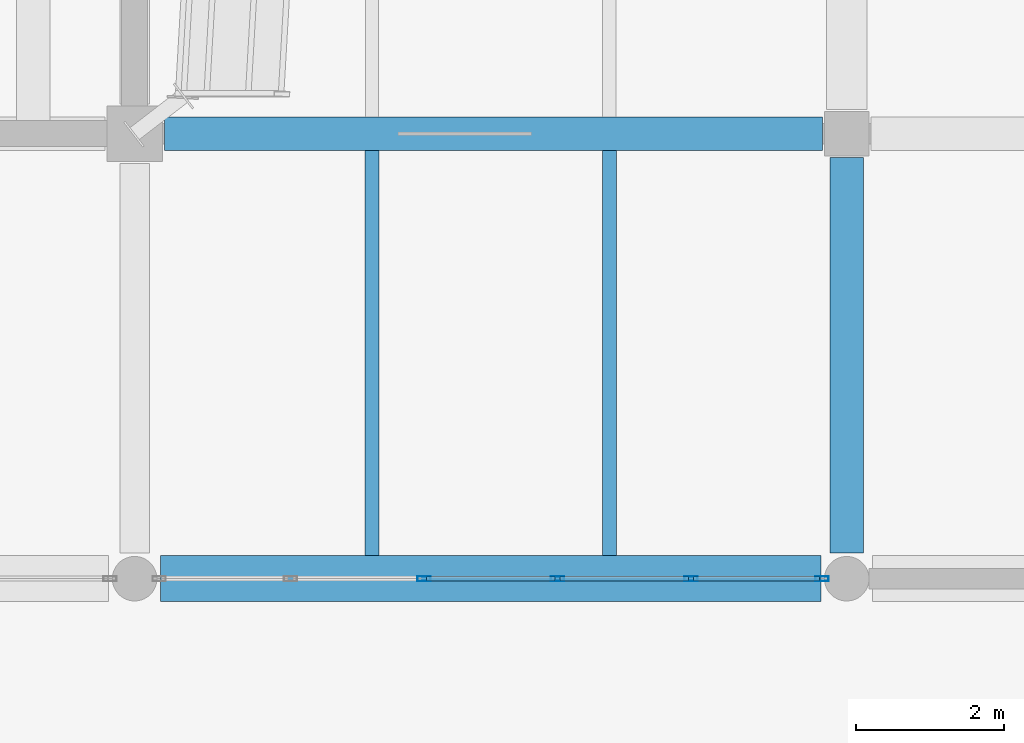
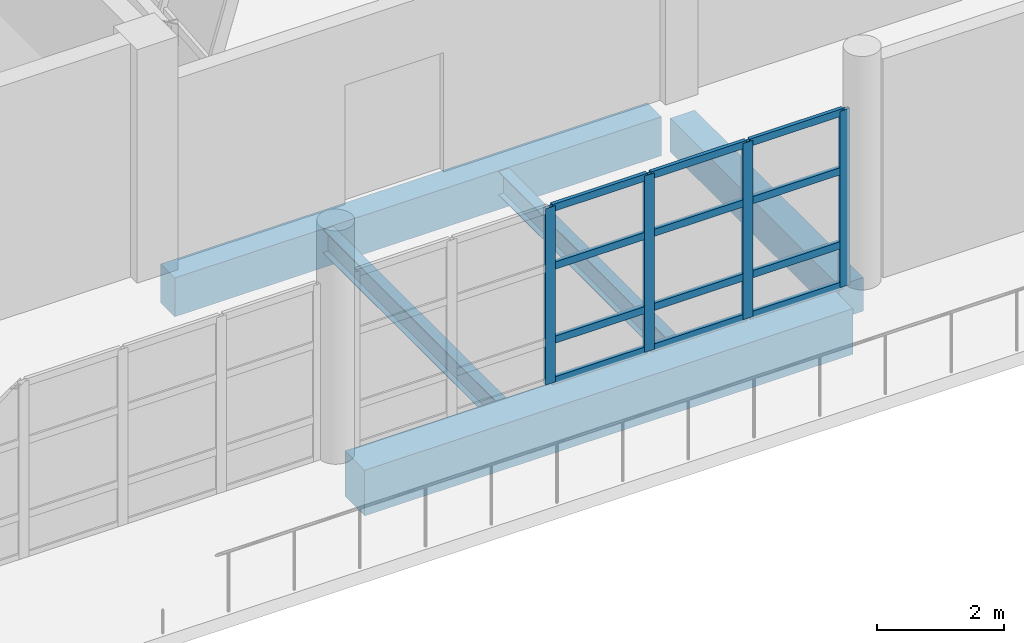
# One storey, part 17 of 71: 16 members, 5 beams, 1 element without a shape of its own.
"""IFC4 building model written with IfcOpenShell, lengths in metres."""

from ifc_helpers import new_model, si_unit, direction, frame, origin, origin_2d, place, context, subcontext, project, spatial, rectangle, hollow_rectangle, i_section, extrude, material, material_profile, profile_set, type_object, element, aggregate, save


model = new_model("IFC4")

# Units and contexts
model_context = context("Model", 3, precision=1e-05, world=origin(), true_north=direction((0.0, 1.0)))
body_context = subcontext(model_context, "Body", "Model", "MODEL_VIEW")
ifc_project = project(units=[si_unit("LENGTHUNIT", "METRE"), si_unit("AREAUNIT", "SQUARE_METRE"), si_unit("VOLUMEUNIT", "CUBIC_METRE"), si_unit("PLANEANGLEUNIT", "RADIAN"), si_unit("MASSUNIT", "GRAM", prefix="KILO")], contexts=[model_context])

# Site, building, storey
site_placement = place(None, origin())
site = spatial("IfcSite", under=ifc_project, at=site_placement, CompositionType="ELEMENT")
building_placement = place(site_placement, origin())
building = spatial("IfcBuilding", under=site, at=building_placement, Name="Pellamere Symphony Hall", CompositionType="ELEMENT")
storey_placement = place(building_placement, frame((0.0, 0.0, 15.0)))
storey = spatial("IfcBuildingStorey", under=building, at=storey_placement, Name="L03", CompositionType="ELEMENT", Elevation=15.0)

# Curtain wall, members
ifc_material_1 = material(Name="Thermally Broken Anodised Aluminium 6063-T6 Curtain Wall", Category="aluminium")
curtain_wall_type = type_object("IfcCurtainWallType", Name="Curtain Wall CW-02 (Winter-Garden South Concourse Curtain Wall)", PredefinedType="NOTDEFINED", material=ifc_material_1)
curtain_wall_placement = place(storey_placement, origin())
curtain_wall = element("IfcCurtainWall", 1, at=curtain_wall_placement, inside=storey, type_object=curtain_wall_type, Name="Winter-Garden South Curtain Wall (L03 Bay 11)", PredefinedType="NOTDEFINED")
ifc_material_2 = material(Name="Anodised Architectural Aluminium 6063-T6", Category="aluminium")
ifc_material_profile_1 = material_profile(ifc_material_2, hollow_rectangle(XDim=0.06494140625, YDim=0.179931640625, WallThickness=0.00390625, at=origin_2d()), Name="ALU-M65X180X4")
ifc_profile_set_1 = profile_set([ifc_material_profile_1], Name="Anodised Architectural Aluminium 6063-T6")
member_type_1 = type_object("IfcMemberType", Name="Curtain Wall Mullion ML-02 ALU-M65X180X4", PredefinedType="MULLION", material=ifc_profile_set_1)
member_1_placement = place(storey_placement, frame((122.699951171875, 24.0, 0.0), z_axis=(0.0, 0.0, 1.0), x_axis=(0.0, 1.0, 0.0)))
member_1 = element("IfcMember", 2, at=member_1_placement, type_object=member_type_1, Name="CW2-094 crystal mullion 3", PredefinedType="MULLION", context=body_context, shape_type="SweptSolid", body=[
    extrude(hollow_rectangle(XDim=0.06494140625, YDim=0.179931640625, WallThickness=0.00390625, at=origin_2d()), origin(), (0.0, 0.0, 1.0), 3.39990234375),
])
member_2_placement = place(storey_placement, frame((124.5, 24.0, 0.0), z_axis=(0.0, 0.0, 1.0), x_axis=(0.0, 1.0, 0.0)))
member_2 = element("IfcMember", 3, at=member_2_placement, type_object=member_type_1, Name="CW2-094 crystal mullion 4", PredefinedType="MULLION", context=body_context, shape_type="SweptSolid", body=[
    extrude(hollow_rectangle(XDim=0.06494140625, YDim=0.179931640625, WallThickness=0.00390625, at=origin_2d()), origin(), (0.0, 0.0, 1.0), 3.39990234375),
])
member_3_placement = place(storey_placement, frame((126.300048828125, 24.0, 0.0), z_axis=(0.0, 0.0, 1.0), x_axis=(0.0, 1.0, 0.0)))
member_3 = element("IfcMember", 4, at=member_3_placement, type_object=member_type_1, Name="CW2-094 crystal mullion 5", PredefinedType="MULLION", context=body_context, shape_type="SweptSolid", body=[
    extrude(hollow_rectangle(XDim=0.06494140625, YDim=0.179931640625, WallThickness=0.00390625, at=origin_2d()), origin(), (0.0, 0.0, 1.0), 3.39990234375),
])
member_4_placement = place(storey_placement, frame((128.0673828125, 24.0, 0.0), z_axis=(0.0, 0.0, 1.0), x_axis=(0.0, 1.0, 0.0)))
member_4 = element("IfcMember", 5, at=member_4_placement, type_object=member_type_1, Name="CW2-094 crystal mullion 6", PredefinedType="MULLION", context=body_context, shape_type="SweptSolid", body=[
    extrude(hollow_rectangle(XDim=0.06494140625, YDim=0.179931640625, WallThickness=0.00390625, at=origin_2d()), origin(), (0.0, 0.0, 1.0), 3.39990234375),
])
ifc_material_profile_2 = material_profile(ifc_material_2, hollow_rectangle(XDim=0.06494140625, YDim=0.139892578125, WallThickness=0.00390625, at=origin_2d()), Name="ALU-T65X140X4")
ifc_profile_set_2 = profile_set([ifc_material_profile_2], Name="Anodised Architectural Aluminium 6063-T6")
member_type_2 = type_object("IfcMemberType", Name="Curtain Wall Transom TR-02 ALU-T65X140X4", PredefinedType="USERDEFINED", material=ifc_profile_set_2)
member_5_placement = place(storey_placement, frame((122.732421875, 24.0, 0.032470703125), z_axis=(1.0, 0.0, 0.0), x_axis=(0.0, 1.0, 0.0)))
member_5 = element("IfcMember", 6, at=member_5_placement, type_object=member_type_2, Name="CW2-094 crystal transom 3.1", ObjectType="TRANSOM", PredefinedType="USERDEFINED", context=body_context, shape_type="SweptSolid", body=[
    extrude(hollow_rectangle(XDim=0.06494140625, YDim=0.139892578125, WallThickness=0.00390625, at=origin_2d()), origin(), (0.0, 0.0, 1.0), 1.735107421875),
])
member_6_placement = place(storey_placement, frame((122.732421875, 24.0, 0.81591796875), z_axis=(1.0, 0.0, 0.0), x_axis=(0.0, 1.0, 0.0)))
member_6 = element("IfcMember", 7, at=member_6_placement, type_object=member_type_2, Name="CW2-094 crystal transom 3.2", ObjectType="TRANSOM", PredefinedType="USERDEFINED", context=body_context, shape_type="SweptSolid", body=[
    extrude(hollow_rectangle(XDim=0.06494140625, YDim=0.139892578125, WallThickness=0.00390625, at=origin_2d()), origin(), (0.0, 0.0, 1.0), 1.735107421875),
])
member_7_placement = place(storey_placement, frame((122.732421875, 24.0, 2.243896484375), z_axis=(1.0, 0.0, 0.0), x_axis=(0.0, 1.0, 0.0)))
member_7 = element("IfcMember", 8, at=member_7_placement, type_object=member_type_2, Name="CW2-094 crystal transom 3.3", ObjectType="TRANSOM", PredefinedType="USERDEFINED", context=body_context, shape_type="SweptSolid", body=[
    extrude(hollow_rectangle(XDim=0.06494140625, YDim=0.139892578125, WallThickness=0.00390625, at=origin_2d()), origin(), (0.0, 0.0, 1.0), 1.735107421875),
])
member_8_placement = place(storey_placement, frame((122.732421875, 24.0, 3.367431640625), z_axis=(1.0, 0.0, 0.0), x_axis=(0.0, 1.0, 0.0)))
member_8 = element("IfcMember", 9, at=member_8_placement, type_object=member_type_2, Name="CW2-094 crystal transom 3.4", ObjectType="TRANSOM", PredefinedType="USERDEFINED", context=body_context, shape_type="SweptSolid", body=[
    extrude(hollow_rectangle(XDim=0.06494140625, YDim=0.139892578125, WallThickness=0.00390625, at=origin_2d()), origin(), (0.0, 0.0, 1.0), 1.735107421875),
])
member_9_placement = place(storey_placement, frame((124.532470703125, 24.0, 0.032470703125), z_axis=(1.0, 0.0, 0.0), x_axis=(0.0, 1.0, 0.0)))
member_9 = element("IfcMember", 10, at=member_9_placement, type_object=member_type_2, Name="CW2-094 crystal transom 4.1", ObjectType="TRANSOM", PredefinedType="USERDEFINED", context=body_context, shape_type="SweptSolid", body=[
    extrude(hollow_rectangle(XDim=0.06494140625, YDim=0.139892578125, WallThickness=0.00390625, at=origin_2d()), origin(), (0.0, 0.0, 1.0), 1.735107421875),
])
member_10_placement = place(storey_placement, frame((124.532470703125, 24.0, 0.81591796875), z_axis=(1.0, 0.0, 0.0), x_axis=(0.0, 1.0, 0.0)))
member_10 = element("IfcMember", 11, at=member_10_placement, type_object=member_type_2, Name="CW2-094 crystal transom 4.2", ObjectType="TRANSOM", PredefinedType="USERDEFINED", context=body_context, shape_type="SweptSolid", body=[
    extrude(hollow_rectangle(XDim=0.06494140625, YDim=0.139892578125, WallThickness=0.00390625, at=origin_2d()), origin(), (0.0, 0.0, 1.0), 1.735107421875),
])
member_11_placement = place(storey_placement, frame((124.532470703125, 24.0, 2.243896484375), z_axis=(1.0, 0.0, 0.0), x_axis=(0.0, 1.0, 0.0)))
member_11 = element("IfcMember", 12, at=member_11_placement, type_object=member_type_2, Name="CW2-094 crystal transom 4.3", ObjectType="TRANSOM", PredefinedType="USERDEFINED", context=body_context, shape_type="SweptSolid", body=[
    extrude(hollow_rectangle(XDim=0.06494140625, YDim=0.139892578125, WallThickness=0.00390625, at=origin_2d()), origin(), (0.0, 0.0, 1.0), 1.735107421875),
])
member_12_placement = place(storey_placement, frame((124.532470703125, 24.0, 3.367431640625), z_axis=(1.0, 0.0, 0.0), x_axis=(0.0, 1.0, 0.0)))
member_12 = element("IfcMember", 13, at=member_12_placement, type_object=member_type_2, Name="CW2-094 crystal transom 4.4", ObjectType="TRANSOM", PredefinedType="USERDEFINED", context=body_context, shape_type="SweptSolid", body=[
    extrude(hollow_rectangle(XDim=0.06494140625, YDim=0.139892578125, WallThickness=0.00390625, at=origin_2d()), origin(), (0.0, 0.0, 1.0), 1.735107421875),
])
member_13_placement = place(storey_placement, frame((126.33251953125, 24.0, 0.032470703125), z_axis=(1.0, 0.0, 0.0), x_axis=(0.0, 1.0, 0.0)))
member_13 = element("IfcMember", 14, at=member_13_placement, type_object=member_type_2, Name="CW2-094 crystal transom 5.1", ObjectType="TRANSOM", PredefinedType="USERDEFINED", context=body_context, shape_type="SweptSolid", body=[
    extrude(hollow_rectangle(XDim=0.06494140625, YDim=0.139892578125, WallThickness=0.00390625, at=origin_2d()), origin(), (0.0, 0.0, 1.0), 1.702392578125),
])
member_14_placement = place(storey_placement, frame((126.33251953125, 24.0, 0.81591796875), z_axis=(1.0, 0.0, 0.0), x_axis=(0.0, 1.0, 0.0)))
member_14 = element("IfcMember", 15, at=member_14_placement, type_object=member_type_2, Name="CW2-094 crystal transom 5.2", ObjectType="TRANSOM", PredefinedType="USERDEFINED", context=body_context, shape_type="SweptSolid", body=[
    extrude(hollow_rectangle(XDim=0.06494140625, YDim=0.139892578125, WallThickness=0.00390625, at=origin_2d()), origin(), (0.0, 0.0, 1.0), 1.702392578125),
])
member_15_placement = place(storey_placement, frame((126.33251953125, 24.0, 2.243896484375), z_axis=(1.0, 0.0, 0.0), x_axis=(0.0, 1.0, 0.0)))
member_15 = element("IfcMember", 16, at=member_15_placement, type_object=member_type_2, Name="CW2-094 crystal transom 5.3", ObjectType="TRANSOM", PredefinedType="USERDEFINED", context=body_context, shape_type="SweptSolid", body=[
    extrude(hollow_rectangle(XDim=0.06494140625, YDim=0.139892578125, WallThickness=0.00390625, at=origin_2d()), origin(), (0.0, 0.0, 1.0), 1.702392578125),
])
member_16_placement = place(storey_placement, frame((126.33251953125, 24.0, 3.367431640625), z_axis=(1.0, 0.0, 0.0), x_axis=(0.0, 1.0, 0.0)))
member_16 = element("IfcMember", 17, at=member_16_placement, type_object=member_type_2, Name="CW2-094 crystal transom 5.4", ObjectType="TRANSOM", PredefinedType="USERDEFINED", context=body_context, shape_type="SweptSolid", body=[
    extrude(hollow_rectangle(XDim=0.06494140625, YDim=0.139892578125, WallThickness=0.00390625, at=origin_2d()), origin(), (0.0, 0.0, 1.0), 1.702392578125),
])
aggregate(curtain_wall, [member_1, member_2, member_3, member_4, member_5, member_6, member_7, member_8, member_9, member_10, member_11, member_12, member_13, member_14, member_15, member_16])

# Beams
ifc_material_3 = material(Name="Concrete 40 MPa", Category="concrete")
ifc_material_profile_3 = material_profile(ifc_material_3, rectangle(XDim=0.449951171875, YDim=0.64990234375, at=origin_2d()), Name="RC 450x650")
ifc_profile_set_3 = profile_set([ifc_material_profile_3], Name="Concrete 40 MPa")
beam_type_1 = type_object("IfcBeamType", Name="RC CB-08 450x650", PredefinedType="BEAM", material=ifc_profile_set_3)
beam_1_placement = place(storey_placement, frame((128.39990234375, 24.35009765625, -0.5849609375), z_axis=(0.0, 1.0, 0.0), x_axis=(-1.0, 0.0, 0.0)))
element("IfcBeam", 18, at=beam_1_placement, inside=storey, type_object=beam_type_1, Name="Girder CB-08-Y1666 (L03)", PredefinedType="BEAM", context=body_context, shape_type="SweptSolid", body=[
    extrude(rectangle(XDim=0.449951171875, YDim=0.64990234375, at=origin_2d()), origin(), (0.0, 0.0, 1.0), 5.324951171875),
])
ifc_material_profile_4 = material_profile(ifc_material_3, rectangle(XDim=0.449951171875, YDim=0.75, at=origin_2d()), Name="RC 450x750")
ifc_profile_set_4 = profile_set([ifc_material_profile_4], Name="Concrete 40 MPa")
beam_type_2 = type_object("IfcBeamType", Name="RC CB-12 450x750", PredefinedType="SPANDREL", material=ifc_profile_set_4)
beam_2_placement = place(storey_placement, frame((119.199951171875, 30.0, -0.635009765625), z_axis=(1.0, 0.0, 0.0), x_axis=(0.0, 1.0, 0.0)))
element("IfcBeam", 19, at=beam_2_placement, inside=storey, type_object=beam_type_2, Name="Girder CB-12-X1515 (L03)", PredefinedType="SPANDREL", context=body_context, shape_type="SweptSolid", body=[
    extrude(rectangle(XDim=0.449951171875, YDim=0.75, at=origin_2d()), origin(), (0.0, 0.0, 1.0), 8.875),
])
ifc_material_profile_5 = material_profile(ifc_material_3, rectangle(XDim=0.6201171875, YDim=0.8798828125, at=origin_2d()), Name="RC 620x880")
ifc_profile_set_5 = profile_set([ifc_material_profile_5], Name="Concrete 40 MPa")
beam_type_3 = type_object("IfcBeamType", Name="RC CB-17 620x880", PredefinedType="BEAM", material=ifc_profile_set_5)
beam_3_placement = place(storey_placement, frame((119.14990234375, 24.0, -0.699951171875), z_axis=(1.0, 0.0, 0.0), x_axis=(0.0, 1.0, 0.0)))
element("IfcBeam", 20, at=beam_3_placement, inside=storey, type_object=beam_type_3, Name="Girder CB-17-X1500 (L03)", PredefinedType="BEAM", context=body_context, shape_type="SweptSolid", body=[
    extrude(rectangle(XDim=0.6201171875, YDim=0.8798828125, at=origin_2d()), origin(), (0.0, 0.0, 1.0), 8.900146484375),
])
ifc_material_4 = material(Name="Steel CSA G40.21 350W", Category="steel")
ifc_material_profile_6 = material_profile(ifc_material_4, i_section(OverallWidth=0.19091796875, OverallDepth=0.4599609375, WebThickness=0.010009765625, FlangeThickness=0.014404296875, at=origin_2d()), Name="W460X82")
ifc_profile_set_6 = profile_set([ifc_material_profile_6], Name="Steel CSA G40.21 350W")
beam_type_4 = type_object("IfcBeamType", Name="Steel Joist SB-17 W460X82", PredefinedType="JOIST", material=ifc_profile_set_6)
for number, where, z_axis, x_axis, name in (
    (21, (122.0, 24.31005859375, -0.5048828125), (0.0, 1.0, 0.0), (-1.0, 0.0, 0.0), "Secondary Floor Beam SB-17-A1503 (L03)"),
    (22, (125.199951171875, 24.31005859375, -0.5048828125), (0.0, 1.0, 0.0), (-1.0, 0.0, 0.0), "Secondary Floor Beam SB-17-B1503 (L03)"),
):
    element("IfcBeam", number, at=place(storey_placement, frame(where, z_axis=z_axis, x_axis=x_axis)), inside=storey, type_object=beam_type_4, Name=name, PredefinedType="JOIST", context=body_context, shape_type="SweptSolid", body=[
        extrude(i_section(OverallWidth=0.19091796875, OverallDepth=0.4599609375, WebThickness=0.010009765625, FlangeThickness=0.014404296875, at=origin_2d()), origin(), (0.0, 0.0, 1.0), 5.46484375),
    ])

save(model, "model.ifc")
